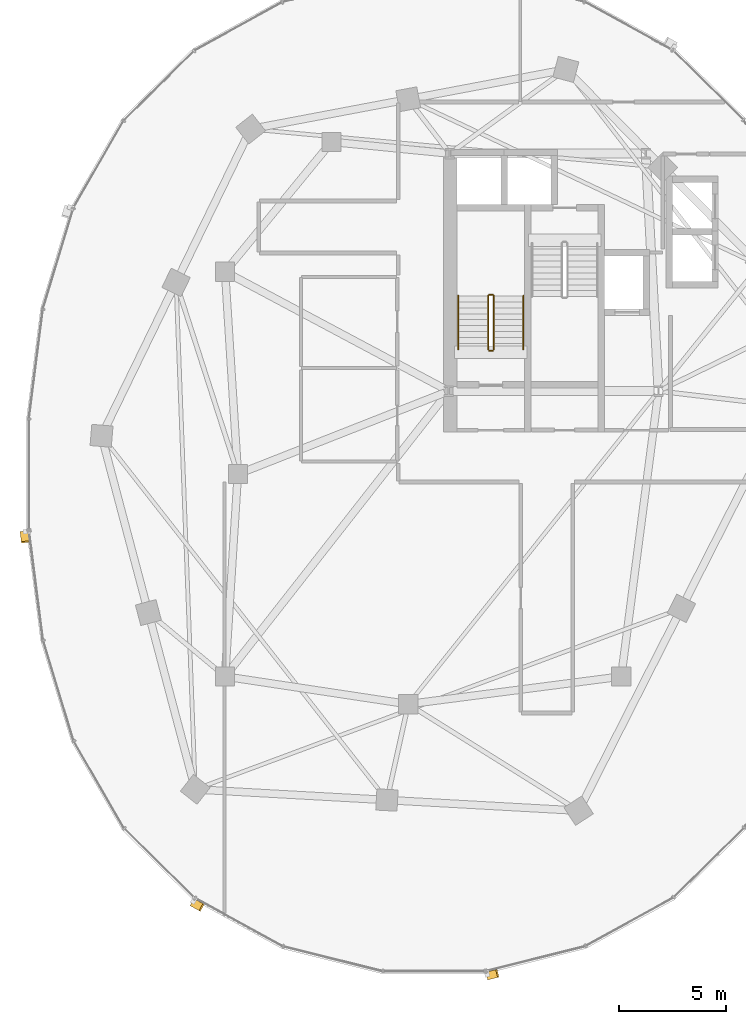
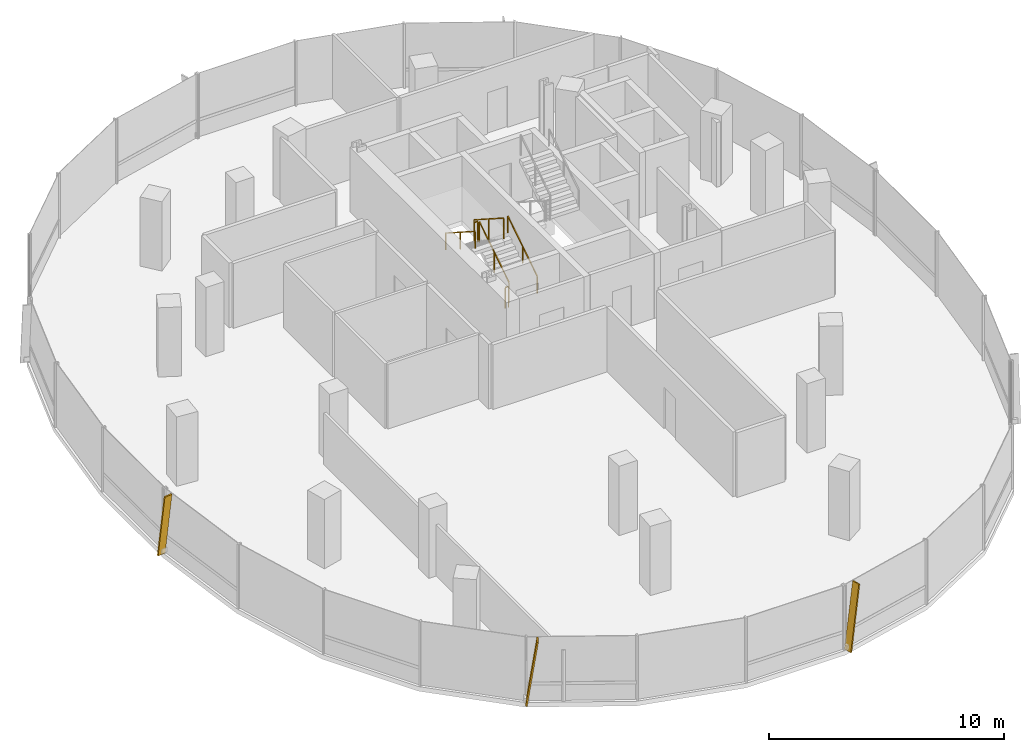
# One storey, part 17 of 21: 6 railings, 3 shading devices.
"""IFC4 building model written with IfcOpenShell, lengths in metres."""

from ifc_helpers import new_model, si_unit, direction, frame, origin, origin_2d, place, context, subcontext, project, spatial, rectangle, extrude, material, material_profile, profile_set, type_object, element, save


model = new_model("IFC4")

# Units and contexts
model_context = context("Model", 3, precision=1e-05, world=origin(), true_north=direction((0.0, 1.0)))
body_context = subcontext(model_context, "Body", "Model", "MODEL_VIEW")
ifc_project = project(units=[si_unit("LENGTHUNIT", "METRE"), si_unit("AREAUNIT", "SQUARE_METRE"), si_unit("VOLUMEUNIT", "CUBIC_METRE"), si_unit("PLANEANGLEUNIT", "RADIAN"), si_unit("MASSUNIT", "GRAM", prefix="KILO"), si_unit("THERMODYNAMICTEMPERATUREUNIT", "KELVIN"), si_unit("POWERUNIT", "WATT")], contexts=[model_context])

# Site, building, storey
site_placement = place(None, origin())
site = spatial("IfcSite", under=ifc_project, at=site_placement, CompositionType="ELEMENT")
building_placement = place(site_placement, origin())
building = spatial("IfcBuilding", under=site, at=building_placement, Name="Cundina Bronze Exchange", CompositionType="ELEMENT")
storey_placement = place(building_placement, frame((0.0, 0.0, 180.0)))
storey = spatial("IfcBuildingStorey", under=building, at=storey_placement, Name="L47", CompositionType="ELEMENT", Elevation=180.0)

# Railings
ifc_material_1 = material(Name="Steel ASTM A36 Painted", Category="steel")
railing_type_1 = type_object("IfcRailingType", Name="RLG-HND-900", PredefinedType="HANDRAIL", material=ifc_material_1)
railing_1_placement = place(storey_placement, frame((-27.7900390625, 5.85009765625, 0.179931640625)))
element("IfcRailing", 1, at=railing_1_placement, inside=storey, type_object=railing_type_1, Name="L47 ST-W1 stair handrail 1", PredefinedType="HANDRAIL", context=body_context, shape_type="SweptSolid", body=[
    extrude(rectangle(XDim=0.048095703125, YDim=0.048095703125, at=origin_2d()), frame((0.0, 0.0, 0.8759765625), z_axis=(0.0, 0.841162588446, 0.540782303519), x_axis=(-1.0, 0.0, 0.0)), (0.0, 0.0, 1.0), 2.995849609375),
    extrude(rectangle(XDim=0.0419921875, YDim=0.0419921875, at=origin_2d()), origin(), (0.0, 0.0, 1.0), 0.851806640625),
    extrude(rectangle(XDim=0.0419921875, YDim=0.0419921875, at=origin_2d()), frame((0.0, 1.260009765625, 0.81005859375)), (0.0, 0.0, 1.0), 0.851806640625),
    extrude(rectangle(XDim=0.0419921875, YDim=0.0419921875, at=origin_2d()), frame((0.0, 2.52001953125, 1.6201171875)), (0.0, 0.0, 1.0), 0.851806640625),
])
railing_2_placement = place(storey_placement, frame((-30.85009765625, 8.3701171875, 1.97998046875)))
element("IfcRailing", 2, at=railing_2_placement, inside=storey, type_object=railing_type_1, Name="L47 ST-W1 stair handrail 2", PredefinedType="HANDRAIL", context=body_context, shape_type="SweptSolid", body=[
    extrude(rectangle(XDim=0.048095703125, YDim=0.048095703125, at=origin_2d()), frame((0.0, 0.0, 0.8759765625), z_axis=(0.0, -0.841162588446, 0.540782303519), x_axis=(1.0, 0.0, 0.0)), (0.0, 0.0, 1.0), 2.995849609375),
    extrude(rectangle(XDim=0.0419921875, YDim=0.0419921875, at=origin_2d()), origin(), (0.0, 0.0, 1.0), 0.851806640625),
    extrude(rectangle(XDim=0.0419921875, YDim=0.0419921875, at=origin_2d()), frame((0.0, -1.260009765625, 0.81005859375)), (0.0, 0.0, 1.0), 0.851806640625),
    extrude(rectangle(XDim=0.0419921875, YDim=0.0419921875, at=origin_2d()), frame((0.0, -2.52001953125, 1.6201171875)), (0.0, 0.0, 1.0), 0.851806640625),
])
railing_type_2 = type_object("IfcRailingType", Name="RLG-STG-1100", PredefinedType="GUARDRAIL", material=ifc_material_1)
railing_3_placement = place(storey_placement, frame((-29.18994140625, 5.85009765625, 0.179931640625)))
element("IfcRailing", 3, at=railing_3_placement, inside=storey, type_object=railing_type_2, Name="L47 ST-W1 stair guard 1", PredefinedType="GUARDRAIL", context=body_context, shape_type="SweptSolid", body=[
    extrude(rectangle(XDim=0.048095703125, YDim=0.048095703125, at=origin_2d()), frame((0.0, 0.0, 1.076171875), z_axis=(0.0, 0.841162588446, 0.540782303519), x_axis=(-1.0, 0.0, 0.0)), (0.0, 0.0, 1.0), 2.995849609375),
    extrude(rectangle(XDim=0.0419921875, YDim=0.0419921875, at=origin_2d()), origin(), (0.0, 0.0, 1.0), 1.052001953125),
    extrude(rectangle(XDim=0.0419921875, YDim=0.0419921875, at=origin_2d()), frame((0.0, 1.260009765625, 0.81005859375)), (0.0, 0.0, 1.0), 1.052001953125),
    extrude(rectangle(XDim=0.0419921875, YDim=0.0419921875, at=origin_2d()), frame((0.0, 2.52001953125, 1.6201171875)), (0.0, 0.0, 1.0), 1.052001953125),
])
railing_4_placement = place(storey_placement, frame((-29.239990234375, 8.419921875, 1.800048828125)))
element("IfcRailing", 4, at=railing_4_placement, inside=storey, type_object=railing_type_2, Name="L47 ST-W1 stair guard 2", PredefinedType="GUARDRAIL", context=body_context, shape_type="SweptSolid", body=[
    extrude(rectangle(XDim=0.048095703125, YDim=0.048095703125, at=origin_2d()), frame((0.0, 0.0, 1.076171875), z_axis=(-1.0, 0.0, 0.0), x_axis=(0.0, -1.0, 0.0)), (0.0, 0.0, 1.0), 0.159912109375),
    extrude(rectangle(XDim=0.0419921875, YDim=0.0419921875, at=origin_2d()), origin(), (0.0, 0.0, 1.0), 1.052001953125),
    extrude(rectangle(XDim=0.0419921875, YDim=0.0419921875, at=origin_2d()), frame((-0.159912109375, 0.0, 0.0)), (0.0, 0.0, 1.0), 1.052001953125),
])
railing_5_placement = place(storey_placement, frame((-29.449951171875, 8.3701171875, 1.97998046875)))
element("IfcRailing", 5, at=railing_5_placement, inside=storey, type_object=railing_type_2, Name="L47 ST-W1 stair guard 3", PredefinedType="GUARDRAIL", context=body_context, shape_type="SweptSolid", body=[
    extrude(rectangle(XDim=0.048095703125, YDim=0.048095703125, at=origin_2d()), frame((0.0, 0.0, 1.076171875), z_axis=(0.0, -0.841162588446, 0.540782303519), x_axis=(1.0, 0.0, 0.0)), (0.0, 0.0, 1.0), 2.995849609375),
    extrude(rectangle(XDim=0.0419921875, YDim=0.0419921875, at=origin_2d()), origin(), (0.0, 0.0, 1.0), 1.052001953125),
    extrude(rectangle(XDim=0.0419921875, YDim=0.0419921875, at=origin_2d()), frame((0.0, -1.260009765625, 0.81005859375)), (0.0, 0.0, 1.0), 1.052001953125),
    extrude(rectangle(XDim=0.0419921875, YDim=0.0419921875, at=origin_2d()), frame((0.0, -2.52001953125, 1.6201171875)), (0.0, 0.0, 1.0), 1.052001953125),
])
railing_6_placement = place(storey_placement, frame((-29.239990234375, 5.800048828125, 0.0)))
element("IfcRailing", 6, at=railing_6_placement, inside=storey, type_object=railing_type_2, Name="L47 ST-W1 stair guard 4", PredefinedType="GUARDRAIL", context=body_context, shape_type="SweptSolid", body=[
    extrude(rectangle(XDim=0.048095703125, YDim=0.048095703125, at=origin_2d()), frame((0.0, 0.0, 1.076171875), z_axis=(-1.0, 0.0, 0.0), x_axis=(0.0, -1.0, 0.0)), (0.0, 0.0, 1.0), 0.159912109375),
    extrude(rectangle(XDim=0.0419921875, YDim=0.0419921875, at=origin_2d()), origin(), (0.0, 0.0, 1.0), 1.052001953125),
    extrude(rectangle(XDim=0.0419921875, YDim=0.0419921875, at=origin_2d()), frame((-0.159912109375, 0.0, 0.0)), (0.0, 0.0, 1.0), 1.052001953125),
])

# Shading devices
ifc_material_2 = material(Name="Anodised Bronze Aluminium 6063-T6", Category="aluminium")
ifc_material_profile = material_profile(ifc_material_2, rectangle(XDim=0.070068359375, YDim=0.3798828125, at=origin_2d()), Name="FIN70X380", Category="aluminium")
ifc_profile_set = profile_set([ifc_material_profile], Name="Anodised Bronze Aluminium 6063-T6")
shading_device_type = type_object("IfcShadingDeviceType", Name="SHD-FIN-BRZ380", PredefinedType="USERDEFINED", material=ifc_profile_set)
for number, where, z_axis, x_axis, name in (
    (7, (-51.23486328125, -2.705810546875, 0.02001953125), (0.018121805099, -0.141917750773, 0.989712560391), (-0.125360789044, 0.981741119016, 0.143070080046), "L47 Diagonal Bronze Solar Fin 1"),
    (8, (-43.320068359375, -20.11181640625, 0.02001953125), (0.125324460949, -0.068993954111, 0.989713905017), (-0.867011652888, 0.477309551067, 0.143060778049), "L47 Diagonal Bronze Solar Fin 5"),
    (9, (-29.48046875, -23.556396484375, 0.02001953125), (0.138788401144, 0.034715294885, 0.989713407007), (-0.960133415413, -0.240159223467, 0.14306422331), "L47 Diagonal Bronze Solar Fin 1"),
):
    element("IfcShadingDevice", number, at=place(storey_placement, frame(where, z_axis=z_axis, x_axis=x_axis)), inside=storey, type_object=shading_device_type, Name=name, ObjectType="FIN", PredefinedType="USERDEFINED", context=body_context, shape_type="SweptSolid", body=[
        extrude(rectangle(XDim=0.070068359375, YDim=0.3798828125, at=origin_2d()), origin(), (0.0, 0.0, 1.0), 3.3544921875),
    ])

save(model, "model.ifc")
